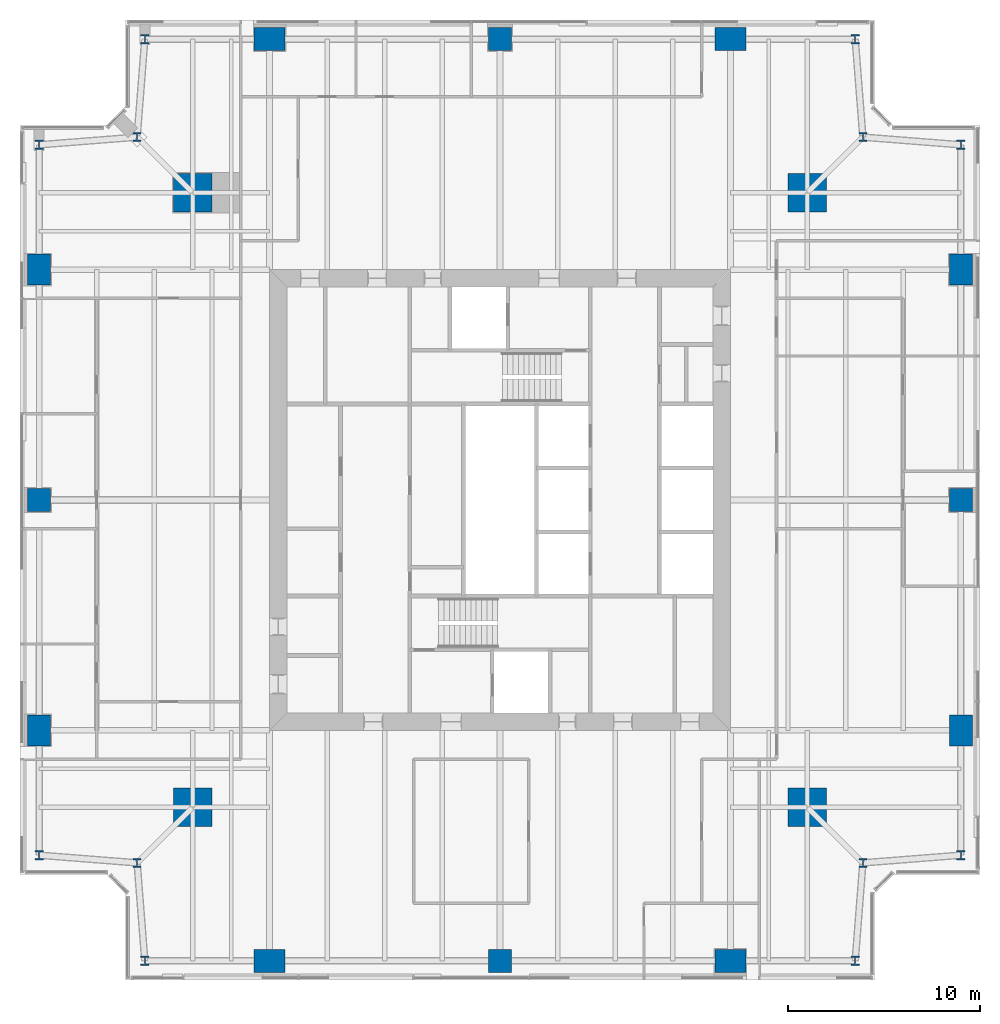
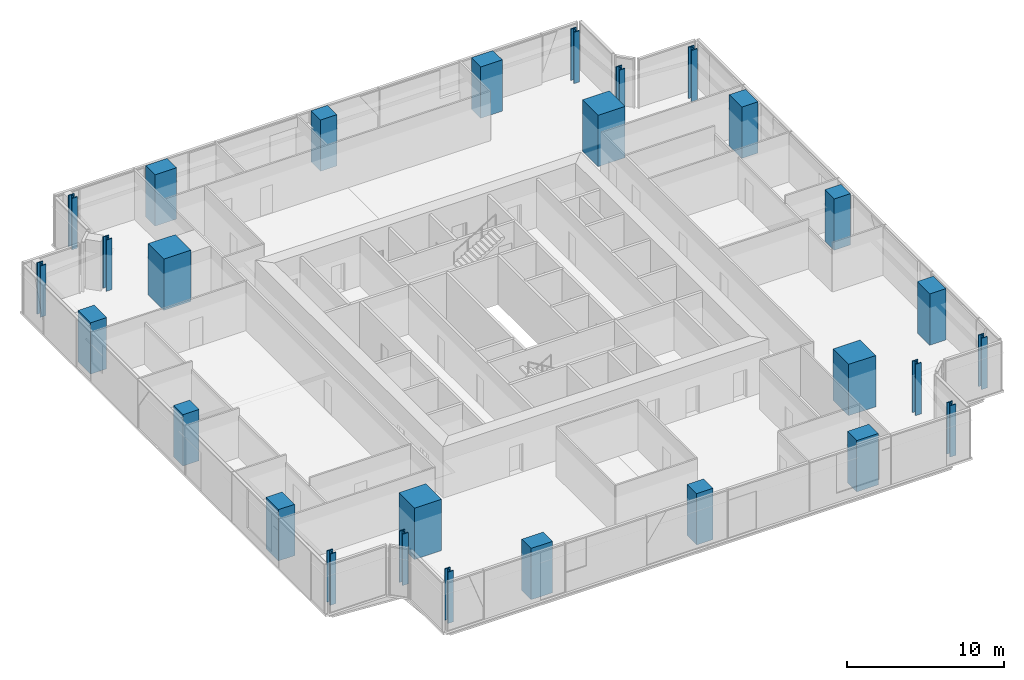
# One storey, part 1 of 14: 28 columns.
"""IFC4 building model written with IfcOpenShell, lengths in metres."""

from ifc_helpers import new_model, si_unit, direction, frame, origin, origin_2d, place, context, subcontext, project, spatial, rectangle, i_section, extrude, material, material_profile, profile_set, type_object, element, save


model = new_model("IFC4")

# Units and contexts
model_context = context("Model", 3, precision=1e-05, world=origin(), true_north=direction((0.0, 1.0)))
body_context = subcontext(model_context, "Body", "Model", "MODEL_VIEW")
ifc_project = project(units=[si_unit("LENGTHUNIT", "METRE"), si_unit("AREAUNIT", "SQUARE_METRE"), si_unit("VOLUMEUNIT", "CUBIC_METRE"), si_unit("PLANEANGLEUNIT", "RADIAN"), si_unit("MASSUNIT", "GRAM", prefix="KILO")], contexts=[model_context])

# Site, building, storey
site_placement = place(None, origin())
site = spatial("IfcSite", under=ifc_project, at=site_placement, CompositionType="ELEMENT")
building_placement = place(site_placement, origin())
building = spatial("IfcBuilding", under=site, at=building_placement, Name="Fenwick Lantern Interchange", CompositionType="ELEMENT")
storey_placement = place(building_placement, frame((0.0, 0.0, 173.800048828125)))
storey = spatial("IfcBuildingStorey", under=building, at=storey_placement, Name="L40", CompositionType="ELEMENT", Elevation=173.800048828125)

# Columns
ifc_material_1 = material(Name="Concrete f'c 70 MPa", Category="concrete")
ifc_material_profile_1 = material_profile(ifc_material_1, rectangle(XDim=2.0, YDim=2.0, at=origin_2d()), Name="RC2000X2000")
ifc_profile_set_1 = profile_set([ifc_material_profile_1], Name="Concrete f'c 70 MPa")
column_type_1 = type_object("IfcColumnType", Name="MEGA COLUMN RC2000X2000", PredefinedType="COLUMN", material=ifc_profile_set_1)
for number, where, z_axis, x_axis, name in (
    (1, (9.0, 9.0, 0.0), (0.0, 0.0, 1.0), (1.0, 0.0, 0.0), "L40/M1"),
    (2, (41.0, 9.0, 0.0), (0.0, 0.0, 1.0), (1.0, 0.0, 0.0), "L40/M2"),
    (3, (41.0, 41.0, 0.0), (0.0, 0.0, 1.0), (1.0, 0.0, 0.0), "L40/M3"),
    (4, (9.0, 41.0, 0.0), (0.0, 0.0, 1.0), (1.0, 0.0, 0.0), "L40/M4"),
):
    element("IfcColumn", number, at=place(storey_placement, frame(where, z_axis=z_axis, x_axis=x_axis)), inside=storey, type_object=column_type_1, Name=name, PredefinedType="COLUMN", context=body_context, shape_type="SweptSolid", body=[
        extrude(rectangle(XDim=2.0, YDim=2.0, at=origin_2d()), origin(), (0.0, 0.0, 1.0), 4.0),
    ])
ifc_material_profile_2 = material_profile(ifc_material_1, rectangle(XDim=1.199951171875, YDim=1.199951171875, at=origin_2d()), Name="RC1200X1200")
ifc_profile_set_2 = profile_set([ifc_material_profile_2], Name="Concrete f'c 70 MPa")
column_type_2 = type_object("IfcColumnType", Name="PERIMETER COLUMN RC1200X1200", PredefinedType="COLUMN", material=ifc_profile_set_2)
for number, where, z_axis, x_axis, name in (
    (5, (25.0, 1.0, 0.0), (0.0, 0.0, 1.0), (1.0, 0.0, 0.0), "L40/CS3"),
    (6, (49.0, 25.0, 0.0), (0.0, 0.0, 1.0), (1.0, 0.0, 0.0), "L40/CE3"),
    (7, (25.0, 49.0, 0.0), (0.0, 0.0, 1.0), (1.0, 0.0, 0.0), "L40/CN3"),
    (8, (1.0, 25.0, 0.0), (0.0, 0.0, 1.0), (1.0, 0.0, 0.0), "L40/CW3"),
):
    element("IfcColumn", number, at=place(storey_placement, frame(where, z_axis=z_axis, x_axis=x_axis)), inside=storey, type_object=column_type_2, Name=name, PredefinedType="COLUMN", context=body_context, shape_type="SweptSolid", body=[
        extrude(rectangle(XDim=1.199951171875, YDim=1.199951171875, at=origin_2d()), origin(), (0.0, 0.0, 1.0), 4.0),
    ])
ifc_material_profile_3 = material_profile(ifc_material_1, rectangle(XDim=1.199951171875, YDim=1.60009765625, at=origin_2d()), Name="RC1200X1600")
ifc_profile_set_3 = profile_set([ifc_material_profile_3], Name="Concrete f'c 70 MPa")
column_type_3 = type_object("IfcColumnType", Name="PERIMETER COLUMN RC1200X1600", PredefinedType="COLUMN", material=ifc_profile_set_3)
for number, where, z_axis, x_axis, name in (
    (9, (49.0, 13.0, 0.0), (0.0, 0.0, 1.0), (1.0, 0.0, 0.0), "L40/CE2"),
    (10, (49.0, 37.0, 0.0), (0.0, 0.0, 1.0), (1.0, 0.0, 0.0), "L40/CE4"),
    (11, (1.0, 37.0, 0.0), (0.0, 0.0, 1.0), (1.0, 0.0, 0.0), "L40/CW2"),
    (12, (1.0, 13.0, 0.0), (0.0, 0.0, 1.0), (1.0, 0.0, 0.0), "L40/CW4"),
):
    element("IfcColumn", number, at=place(storey_placement, frame(where, z_axis=z_axis, x_axis=x_axis)), inside=storey, type_object=column_type_3, Name=name, PredefinedType="COLUMN", context=body_context, shape_type="SweptSolid", body=[
        extrude(rectangle(XDim=1.199951171875, YDim=1.60009765625, at=origin_2d()), origin(), (0.0, 0.0, 1.0), 4.0),
    ])
ifc_material_profile_4 = material_profile(ifc_material_1, rectangle(XDim=1.60009765625, YDim=1.199951171875, at=origin_2d()), Name="RC1600X1200")
ifc_profile_set_4 = profile_set([ifc_material_profile_4], Name="Concrete f'c 70 MPa")
column_type_4 = type_object("IfcColumnType", Name="PERIMETER COLUMN RC1600X1200", PredefinedType="COLUMN", material=ifc_profile_set_4)
for number, where, z_axis, x_axis, name in (
    (13, (13.0, 1.0, 0.0), (0.0, 0.0, 1.0), (1.0, 0.0, 0.0), "L40/CS2"),
    (14, (37.0, 1.0, 0.0), (0.0, 0.0, 1.0), (1.0, 0.0, 0.0), "L40/CS4"),
    (15, (37.0, 49.0, 0.0), (0.0, 0.0, 1.0), (1.0, 0.0, 0.0), "L40/CN2"),
    (16, (13.0, 49.0, 0.0), (0.0, 0.0, 1.0), (1.0, 0.0, 0.0), "L40/CN4"),
):
    element("IfcColumn", number, at=place(storey_placement, frame(where, z_axis=z_axis, x_axis=x_axis)), inside=storey, type_object=column_type_4, Name=name, PredefinedType="COLUMN", context=body_context, shape_type="SweptSolid", body=[
        extrude(rectangle(XDim=1.60009765625, YDim=1.199951171875, at=origin_2d()), origin(), (0.0, 0.0, 1.0), 4.0),
    ])
ifc_material_2 = material(Name="Steel ASTM A992 Grade 50", Category="steel")
ifc_material_profile_5 = material_profile(ifc_material_2, i_section(OverallWidth=0.424072265625, OverallDepth=0.47509765625, WebThickness=0.0478515625, FlangeThickness=0.0771484375, at=origin_2d()), Name="W14X426")
ifc_profile_set_5 = profile_set([ifc_material_profile_5], Name="Steel ASTM A992 Grade 50")
column_type_5 = type_object("IfcColumnType", Name="PERIMETER COLUMN W14X426", PredefinedType="COLUMN", material=ifc_profile_set_5)
for number, where, z_axis, x_axis, name in (
    (17, (6.5, 1.0, 0.0), (0.0, 0.0, 1.0), (1.0, 0.0, 0.0), "L40/CS1"),
    (18, (43.5, 1.0, 0.0), (0.0, 0.0, 1.0), (1.0, 0.0, 0.0), "L40/CS5"),
    (19, (43.89990234375, 6.10009765625, 0.0), (0.0, 0.0, 1.0), (1.0, 0.0, 0.0), "L40/CSR"),
    (20, (49.0, 6.5, 0.0), (0.0, 0.0, 1.0), (1.0, 0.0, 0.0), "L40/CE1"),
    (21, (49.0, 43.5, 0.0), (0.0, 0.0, 1.0), (1.0, 0.0, 0.0), "L40/CE5"),
    (22, (43.89990234375, 43.89990234375, 0.0), (0.0, 0.0, 1.0), (1.0, 0.0, 0.0), "L40/CER"),
    (23, (43.5, 49.0, 0.0), (0.0, 0.0, 1.0), (1.0, 0.0, 0.0), "L40/CN1"),
    (24, (6.5, 49.0, 0.0), (0.0, 0.0, 1.0), (1.0, 0.0, 0.0), "L40/CN5"),
    (25, (6.10009765625, 43.89990234375, 0.0), (0.0, 0.0, 1.0), (1.0, 0.0, 0.0), "L40/CNR"),
    (26, (1.0, 43.5, 0.0), (0.0, 0.0, 1.0), (1.0, 0.0, 0.0), "L40/CW1"),
    (27, (1.0, 6.5, 0.0), (0.0, 0.0, 1.0), (1.0, 0.0, 0.0), "L40/CW5"),
    (28, (6.10009765625, 6.10009765625, 0.0), (0.0, 0.0, 1.0), (1.0, 0.0, 0.0), "L40/CWR"),
):
    element("IfcColumn", number, at=place(storey_placement, frame(where, z_axis=z_axis, x_axis=x_axis)), inside=storey, type_object=column_type_5, Name=name, PredefinedType="COLUMN", context=body_context, shape_type="SweptSolid", body=[
        extrude(i_section(OverallWidth=0.424072265625, OverallDepth=0.47509765625, WebThickness=0.0478515625, FlangeThickness=0.0771484375, at=origin_2d()), origin(), (0.0, 0.0, 1.0), 4.0),
    ])

save(model, "model.ifc")
